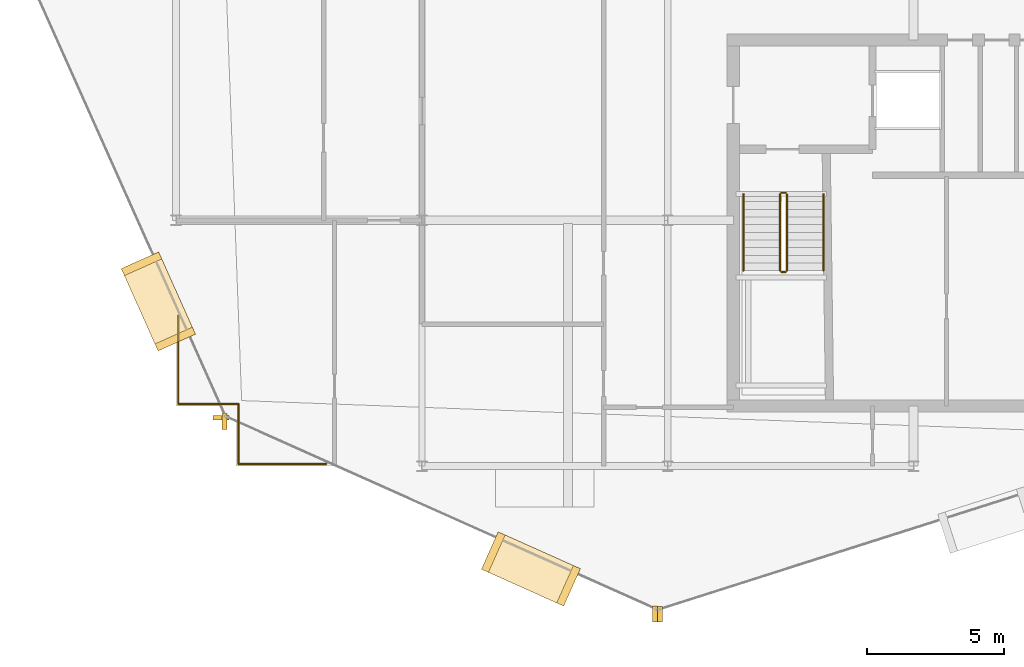
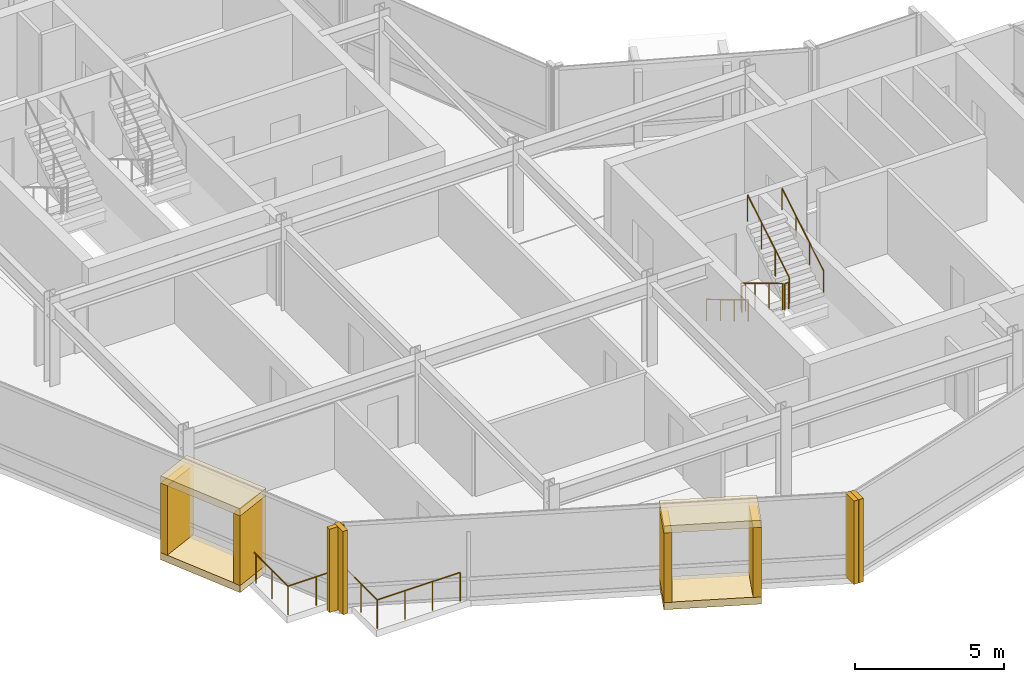
# One storey, part 16 of 19: 12 coverings, 10 railings.
"""IFC4 building model written with IfcOpenShell, lengths in metres."""

from ifc_helpers import new_model, si_unit, direction, frame, origin, origin_2d, place, context, subcontext, project, spatial, rectangle, circle, extrude, material, layer, layer_set, type_object, element, save


model = new_model("IFC4")

# Units and contexts
model_context = context("Model", 3, precision=1e-05, world=origin(), true_north=direction((0.0, 1.0)))
body_context = subcontext(model_context, "Body", "Model", "MODEL_VIEW")
ifc_project = project(units=[si_unit("LENGTHUNIT", "METRE"), si_unit("AREAUNIT", "SQUARE_METRE"), si_unit("VOLUMEUNIT", "CUBIC_METRE"), si_unit("PLANEANGLEUNIT", "RADIAN"), si_unit("MASSUNIT", "GRAM", prefix="KILO")], contexts=[model_context])

# Site, building, storey
site_placement = place(None, origin())
site = spatial("IfcSite", under=ifc_project, at=site_placement, CompositionType="ELEMENT")
building_placement = place(site_placement, origin())
building = spatial("IfcBuilding", under=site, at=building_placement, Name="Solvaryn Broadcast Tower", CompositionType="ELEMENT")
storey_placement = place(building_placement, frame((0.0, 0.0, 255.60009765625)))
storey = spatial("IfcBuildingStorey", under=building, at=storey_placement, Name="L64", CompositionType="ELEMENT", Elevation=255.60009765625)

# Coverings
ifc_material_1 = material(Name="Glazed Architectural Terracotta Rainscreen Cladding", Category="masonry")
ifc_layer_1 = layer(ifc_material_1, 0.280029296875)
ifc_layer_set_1 = layer_set([ifc_layer_1], Name="CV-TC-CLAD")
covering_type_1 = type_object("IfcCoveringType", Name="CV-TC-CLAD", PredefinedType="CLADDING", material=ifc_layer_set_1)
for number, where, z_axis, x_axis, name in (
    (1, (8.35107421875, 15.030029296875, 3.1298828125), (0.0, 0.0, 1.0), (0.408489773781, -0.91276289622, 0.0), "L64 Projecting Stone Window Box Hood 2"),
    (2, (8.35107421875, 15.030029296875, -0.01025390625), (0.0, 0.0, 1.0), (0.408489773781, -0.91276289622, 0.0), "L64 Projecting Stone Window Box Sill 2"),
):
    element("IfcCovering", number, at=place(storey_placement, frame(where, z_axis=z_axis, x_axis=x_axis)), inside=storey, type_object=covering_type_1, Name=name, PredefinedType="CLADDING", context=body_context, shape_type="SweptSolid", body=[
        extrude(rectangle(XDim=3.300048828125, YDim=1.5, at=origin_2d()), origin(), (0.0, 0.0, 1.0), 0.300048828125),
    ])
for number, where, z_axis, x_axis, name in (
    (3, (7.734130859375, 16.408203125, 0.27978515625), (0.0, 0.0, 1.0), (0.408489773781, -0.91276289622, 0.0), "L64 Projecting Stone Window Box Cheek 2-1"),
    (4, (8.9677734375, 13.651611328125, 0.27978515625), (0.0, 0.0, 1.0), (0.408489773781, -0.91276289622, 0.0), "L64 Projecting Stone Window Box Cheek 2-2"),
):
    element("IfcCovering", number, at=place(storey_placement, frame(where, z_axis=z_axis, x_axis=x_axis)), inside=storey, type_object=covering_type_1, Name=name, PredefinedType="CLADDING", context=body_context, shape_type="SweptSolid", body=[
        extrude(rectangle(XDim=0.280029296875, YDim=1.5, at=origin_2d()), origin(), (0.0, 0.0, 1.0), 2.860107421875),
    ])
for number, where, z_axis, x_axis, name in (
    (5, (21.989990234375, 5.236083984375, 3.1298828125), (0.0, 0.0, 1.0), (0.91276289622, -0.408489773781, 0.0), "L64 Projecting Stone Window Box Hood 3"),
    (6, (21.989990234375, 5.236083984375, -0.01025390625), (0.0, 0.0, 1.0), (0.91276289622, -0.408489773781, 0.0), "L64 Projecting Stone Window Box Sill 3"),
):
    element("IfcCovering", number, at=place(storey_placement, frame(where, z_axis=z_axis, x_axis=x_axis)), inside=storey, type_object=covering_type_1, Name=name, PredefinedType="CLADDING", context=body_context, shape_type="SweptSolid", body=[
        extrude(rectangle(XDim=3.300048828125, YDim=1.5, at=origin_2d()), origin(), (0.0, 0.0, 1.0), 0.300048828125),
    ])
for number, where, z_axis, x_axis, name in (
    (7, (20.61181640625, 5.852783203125, 0.27978515625), (0.0, 0.0, 1.0), (0.91276289622, -0.408489773781, 0.0), "L64 Projecting Stone Window Box Cheek 3-1"),
    (8, (23.368408203125, 4.619140625, 0.27978515625), (0.0, 0.0, 1.0), (0.91276289622, -0.408489773781, 0.0), "L64 Projecting Stone Window Box Cheek 3-2"),
):
    element("IfcCovering", number, at=place(storey_placement, frame(where, z_axis=z_axis, x_axis=x_axis)), inside=storey, type_object=covering_type_1, Name=name, PredefinedType="CLADDING", context=body_context, shape_type="SweptSolid", body=[
        extrude(rectangle(XDim=0.280029296875, YDim=1.5, at=origin_2d()), origin(), (0.0, 0.0, 1.0), 2.860107421875),
    ])
ifc_material_2 = material(Name="Extruded Architectural Terracotta Fin", Category="masonry")
ifc_layer_2 = layer(ifc_material_2, 0.179931640625)
ifc_layer_set_2 = layer_set([ifc_layer_2], Name="CV-TC-FIN")
covering_type_2 = type_object("IfcCoveringType", Name="CV-TC-FIN", PredefinedType="USERDEFINED", material=ifc_layer_set_2)
covering_placement = place(storey_placement, frame((10.640380859375, 10.77099609375, 0.0), z_axis=(0.0, 0.0, 1.0), x_axis=(1.0, 0.0, 0.0)))
element("IfcCovering", 9, at=covering_placement, inside=storey, type_object=covering_type_2, Name="L64 Terracotta Vertical Fin FIN-L64-DR2-M01", ObjectType="FIN", PredefinedType="USERDEFINED", context=body_context, shape_type="SweptSolid", body=[
    extrude(rectangle(XDim=0.580078125, YDim=0.179931640625, at=origin_2d()), origin(), (0.0, 0.0, 1.0), 3.419921875),
])
for number, where, z_axis, x_axis, name in (
    (10, (10.77099609375, 10.640380859375, 0.0), (0.0, 0.0, 1.0), (1.0, 0.0, 0.0), "L64 Terracotta Vertical Fin FIN-L64-DR3-M00"),
    (11, (26.53515625, 3.5859375, 0.0), (0.0, 0.0, 1.0), (1.0, 0.0, 0.0), "L64 Terracotta Vertical Fin FIN-L64-DR3-M01"),
    (12, (26.71923828125, 3.575439453125, 0.0), (0.0, 0.0, 1.0), (1.0, 0.0, 0.0), "L64 Terracotta Vertical Fin FIN-L64-DR4-M00"),
):
    element("IfcCovering", number, at=place(storey_placement, frame(where, z_axis=z_axis, x_axis=x_axis)), inside=storey, type_object=covering_type_2, Name=name, ObjectType="FIN", PredefinedType="USERDEFINED", context=body_context, shape_type="SweptSolid", body=[
        extrude(rectangle(XDim=0.179931640625, YDim=0.580078125, at=origin_2d()), origin(), (0.0, 0.0, 1.0), 3.419921875),
    ])

# Railings
ifc_material_3 = material(Name="Stainless Steel and Laminated Glass Guard", Category="steel")
railing_type_1 = type_object("IfcRailingType", Name="RL-SKYG-1200", PredefinedType="BALUSTRADE", material=ifc_material_3)
railing_1_placement = place(storey_placement, frame((9.080078125, 14.5, 0.0)))
element("IfcRailing", 13, at=railing_1_placement, inside=storey, type_object=railing_type_1, Name="L64 Upper SW Corner Balustrade 1", PredefinedType="BALUSTRADE", context=body_context, shape_type="SweptSolid", body=[
    extrude(circle(Radius=0.02392578125, at=origin_2d()), frame((0.0, 0.0, 1.17578125), z_axis=(0.0, -1.0, 0.0), x_axis=(1.0, 0.0, 0.0)), (0.0, 0.0, 1.0), 3.219970703125),
    extrude(circle(Radius=0.02099609375, at=origin_2d()), origin(), (0.0, 0.0, 1.0), 1.15185546875),
    extrude(circle(Radius=0.02099609375, at=origin_2d()), frame((0.0, -1.0732421875, 0.0)), (0.0, 0.0, 1.0), 1.15185546875),
    extrude(circle(Radius=0.02099609375, at=origin_2d()), frame((0.0, -2.146728515625, 0.0)), (0.0, 0.0, 1.0), 1.15185546875),
    extrude(circle(Radius=0.02099609375, at=origin_2d()), frame((0.0, -3.219970703125, 0.0)), (0.0, 0.0, 1.0), 1.15185546875),
])
railing_2_placement = place(storey_placement, frame((9.080078125, 11.280029296875, 0.0)))
element("IfcRailing", 14, at=railing_2_placement, inside=storey, type_object=railing_type_1, Name="L64 Upper SW Corner Balustrade 2", PredefinedType="BALUSTRADE", context=body_context, shape_type="SweptSolid", body=[
    extrude(circle(Radius=0.02392578125, at=origin_2d()), frame((0.0, 0.0, 1.17578125), z_axis=(1.0, 0.0, 0.0), x_axis=(0.0, 1.0, 0.0)), (0.0, 0.0, 1.0), 2.199951171875),
    extrude(circle(Radius=0.02099609375, at=origin_2d()), origin(), (0.0, 0.0, 1.0), 1.15185546875),
    extrude(circle(Radius=0.02099609375, at=origin_2d()), frame((1.10009765625, 0.0, 0.0)), (0.0, 0.0, 1.0), 1.15185546875),
    extrude(circle(Radius=0.02099609375, at=origin_2d()), frame((2.199951171875, 0.0, 0.0)), (0.0, 0.0, 1.0), 1.15185546875),
])
railing_3_placement = place(storey_placement, frame((11.280029296875, 11.280029296875, 0.0)))
element("IfcRailing", 15, at=railing_3_placement, inside=storey, type_object=railing_type_1, Name="L64 Upper SW Corner Balustrade 3", PredefinedType="BALUSTRADE", context=body_context, shape_type="SweptSolid", body=[
    extrude(circle(Radius=0.02392578125, at=origin_2d()), frame((0.0, 0.0, 1.17578125), z_axis=(0.0, -1.0, 0.0), x_axis=(1.0, 0.0, 0.0)), (0.0, 0.0, 1.0), 2.199951171875),
    extrude(circle(Radius=0.02099609375, at=origin_2d()), origin(), (0.0, 0.0, 1.0), 1.15185546875),
    extrude(circle(Radius=0.02099609375, at=origin_2d()), frame((0.0, -1.10009765625, 0.0)), (0.0, 0.0, 1.0), 1.15185546875),
    extrude(circle(Radius=0.02099609375, at=origin_2d()), frame((0.0, -2.199951171875, 0.0)), (0.0, 0.0, 1.0), 1.15185546875),
])
railing_4_placement = place(storey_placement, frame((11.280029296875, 9.080078125, 0.0)))
element("IfcRailing", 16, at=railing_4_placement, inside=storey, type_object=railing_type_1, Name="L64 Upper SW Corner Balustrade 4", PredefinedType="BALUSTRADE", context=body_context, shape_type="SweptSolid", body=[
    extrude(circle(Radius=0.02392578125, at=origin_2d()), frame((0.0, 0.0, 1.17578125), z_axis=(1.0, 0.0, 0.0), x_axis=(0.0, 1.0, 0.0)), (0.0, 0.0, 1.0), 3.219970703125),
    extrude(circle(Radius=0.02099609375, at=origin_2d()), origin(), (0.0, 0.0, 1.0), 1.15185546875),
    extrude(circle(Radius=0.02099609375, at=origin_2d()), frame((1.0732421875, 0.0, 0.0)), (0.0, 0.0, 1.0), 1.15185546875),
    extrude(circle(Radius=0.02099609375, at=origin_2d()), frame((2.146728515625, 0.0, 0.0)), (0.0, 0.0, 1.0), 1.15185546875),
    extrude(circle(Radius=0.02099609375, at=origin_2d()), frame((3.219970703125, 0.0, 0.0)), (0.0, 0.0, 1.0), 1.15185546875),
])
ifc_material_4 = material(Name="Painted Steel Stair Well Guard", Category="steel")
railing_type_2 = type_object("IfcRailingType", Name="RL-STAIR-GUARD", PredefinedType="BALUSTRADE", material=ifc_material_4)
railing_5_placement = place(storey_placement, frame((31.110107421875, 18.9599609375, 0.16796875)))
element("IfcRailing", 17, at=railing_5_placement, inside=storey, type_object=railing_type_2, Name="L64 ST3 stair guard 1", PredefinedType="BALUSTRADE", context=body_context, shape_type="SweptSolid", body=[
    extrude(circle(Radius=0.02392578125, at=origin_2d()), frame((0.0, 0.0, 1.076171875), z_axis=(0.0, -0.857242210791, 0.514913383045), x_axis=(1.0, 0.0, 0.0)), (0.0, 0.0, 1.0), 3.266357421875),
    extrude(circle(Radius=0.02099609375, at=origin_2d()), origin(), (0.0, 0.0, 1.0), 1.052001953125),
    extrude(circle(Radius=0.02099609375, at=origin_2d()), frame((0.0, -0.933349609375, 0.560546875)), (0.0, 0.0, 1.0), 1.052001953125),
    extrude(circle(Radius=0.02099609375, at=origin_2d()), frame((0.0, -1.86669921875, 1.121337890625)), (0.0, 0.0, 1.0), 1.052001953125),
    extrude(circle(Radius=0.02099609375, at=origin_2d()), frame((0.0, -2.800048828125, 1.681884765625)), (0.0, 0.0, 1.0), 1.052001953125),
])
railing_6_placement = place(storey_placement, frame((31.159912109375, 16.110107421875, 1.849853515625)))
element("IfcRailing", 18, at=railing_6_placement, inside=storey, type_object=railing_type_2, Name="L64 ST3 stair guard 2", PredefinedType="BALUSTRADE", context=body_context, shape_type="SweptSolid", body=[
    extrude(circle(Radius=0.02392578125, at=origin_2d()), frame((0.0, 0.0, 1.076171875), z_axis=(1.0, 0.0, 0.0), x_axis=(0.0, 1.0, 0.0)), (0.0, 0.0, 1.0), 0.150146484375),
    extrude(circle(Radius=0.02099609375, at=origin_2d()), origin(), (0.0, 0.0, 1.0), 1.052001953125),
    extrude(circle(Radius=0.02099609375, at=origin_2d()), frame((0.150146484375, 0.0, 0.0)), (0.0, 0.0, 1.0), 1.052001953125),
])
railing_7_placement = place(storey_placement, frame((31.360107421875, 16.159912109375, 2.01806640625)))
element("IfcRailing", 19, at=railing_7_placement, inside=storey, type_object=railing_type_2, Name="L64 ST3 stair guard 3", PredefinedType="BALUSTRADE", context=body_context, shape_type="SweptSolid", body=[
    extrude(circle(Radius=0.02392578125, at=origin_2d()), frame((0.0, 0.0, 1.076171875), z_axis=(0.0, 0.857242210791, 0.514913383045), x_axis=(-1.0, 0.0, 0.0)), (0.0, 0.0, 1.0), 3.266357421875),
    extrude(circle(Radius=0.02099609375, at=origin_2d()), origin(), (0.0, 0.0, 1.0), 1.052001953125),
    extrude(circle(Radius=0.02099609375, at=origin_2d()), frame((0.0, 0.933349609375, 0.560546875)), (0.0, 0.0, 1.0), 1.052001953125),
    extrude(circle(Radius=0.02099609375, at=origin_2d()), frame((0.0, 1.86669921875, 1.121337890625)), (0.0, 0.0, 1.0), 1.052001953125),
    extrude(circle(Radius=0.02099609375, at=origin_2d()), frame((0.0, 2.800048828125, 1.681884765625)), (0.0, 0.0, 1.0), 1.052001953125),
])
railing_8_placement = place(storey_placement, frame((31.159912109375, 19.010009765625, 0.0)))
element("IfcRailing", 20, at=railing_8_placement, inside=storey, type_object=railing_type_2, Name="L64 ST3 stair guard 4", PredefinedType="BALUSTRADE", context=body_context, shape_type="SweptSolid", body=[
    extrude(circle(Radius=0.02392578125, at=origin_2d()), frame((0.0, 0.0, 1.076171875), z_axis=(1.0, 0.0, 0.0), x_axis=(0.0, 1.0, 0.0)), (0.0, 0.0, 1.0), 0.150146484375),
    extrude(circle(Radius=0.02099609375, at=origin_2d()), origin(), (0.0, 0.0, 1.0), 1.052001953125),
    extrude(circle(Radius=0.02099609375, at=origin_2d()), frame((0.150146484375, 0.0, 0.0)), (0.0, 0.0, 1.0), 1.052001953125),
])
ifc_material_5 = material(Name="Brushed Stainless Steel Tubular Handrail", Category="steel")
railing_type_3 = type_object("IfcRailingType", Name="RL-STAIR-HANDRAIL", PredefinedType="HANDRAIL", material=ifc_material_5)
railing_9_placement = place(storey_placement, frame((29.77001953125, 18.9599609375, 0.16796875)))
element("IfcRailing", 21, at=railing_9_placement, inside=storey, type_object=railing_type_3, Name="L64 ST3 stair handrail 1", PredefinedType="HANDRAIL", context=body_context, shape_type="SweptSolid", body=[
    extrude(circle(Radius=0.02392578125, at=origin_2d()), frame((0.0, 0.0, 0.8759765625), z_axis=(0.0, -0.857242210791, 0.514913383045), x_axis=(1.0, 0.0, 0.0)), (0.0, 0.0, 1.0), 3.266357421875),
    extrude(circle(Radius=0.02099609375, at=origin_2d()), origin(), (0.0, 0.0, 1.0), 0.851806640625),
    extrude(circle(Radius=0.02099609375, at=origin_2d()), frame((0.0, -0.933349609375, 0.560546875)), (0.0, 0.0, 1.0), 0.851806640625),
    extrude(circle(Radius=0.02099609375, at=origin_2d()), frame((0.0, -1.86669921875, 1.121337890625)), (0.0, 0.0, 1.0), 0.851806640625),
    extrude(circle(Radius=0.02099609375, at=origin_2d()), frame((0.0, -2.800048828125, 1.681884765625)), (0.0, 0.0, 1.0), 0.851806640625),
])
railing_10_placement = place(storey_placement, frame((32.699951171875, 16.159912109375, 2.01806640625)))
element("IfcRailing", 22, at=railing_10_placement, inside=storey, type_object=railing_type_3, Name="L64 ST3 stair handrail 2", PredefinedType="HANDRAIL", context=body_context, shape_type="SweptSolid", body=[
    extrude(circle(Radius=0.02392578125, at=origin_2d()), frame((0.0, 0.0, 0.8759765625), z_axis=(0.0, 0.857242210791, 0.514913383045), x_axis=(-1.0, 0.0, 0.0)), (0.0, 0.0, 1.0), 3.266357421875),
    extrude(circle(Radius=0.02099609375, at=origin_2d()), origin(), (0.0, 0.0, 1.0), 0.851806640625),
    extrude(circle(Radius=0.02099609375, at=origin_2d()), frame((0.0, 0.933349609375, 0.560546875)), (0.0, 0.0, 1.0), 0.851806640625),
    extrude(circle(Radius=0.02099609375, at=origin_2d()), frame((0.0, 1.86669921875, 1.121337890625)), (0.0, 0.0, 1.0), 0.851806640625),
    extrude(circle(Radius=0.02099609375, at=origin_2d()), frame((0.0, 2.800048828125, 1.681884765625)), (0.0, 0.0, 1.0), 0.851806640625),
])

save(model, "model.ifc")
